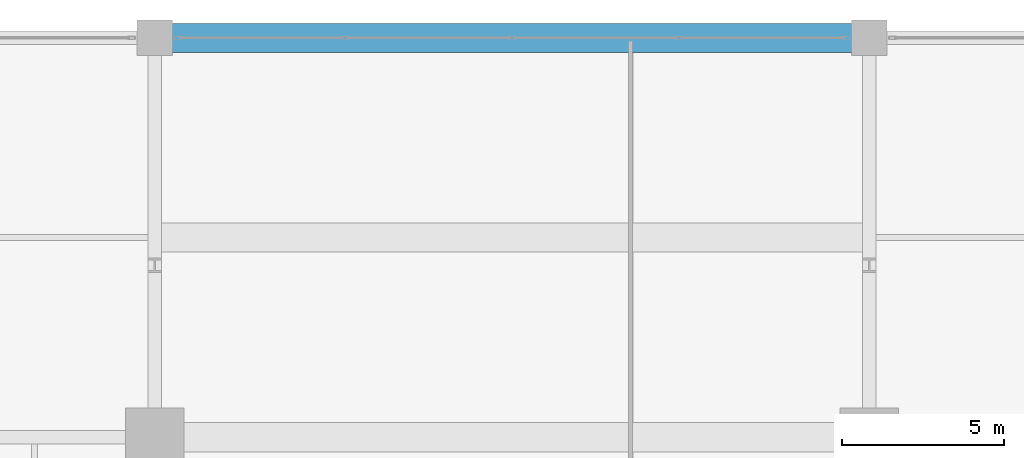
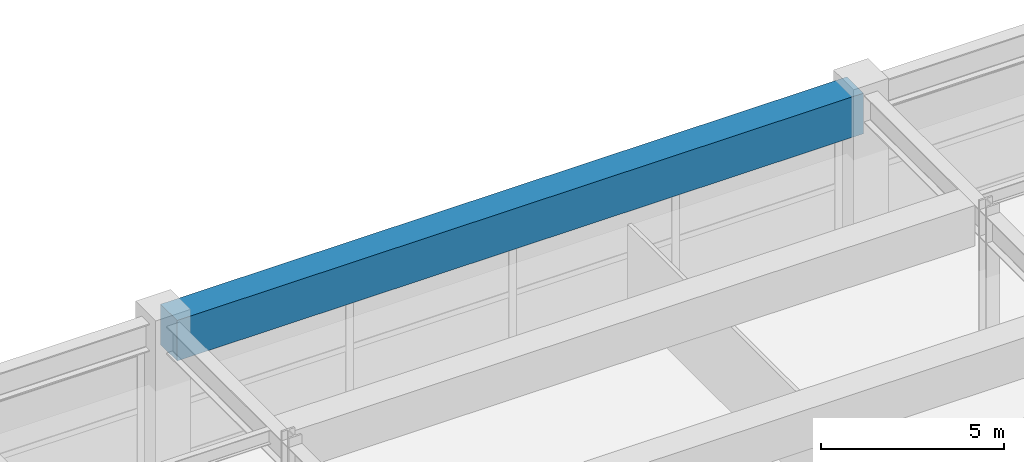
# One storey, part 20 of 45: 1 beam.
"""IFC4 building model written with IfcOpenShell, lengths in metres."""

from ifc_helpers import new_model, si_unit, direction, frame, origin, origin_2d, place, context, subcontext, project, spatial, rectangle, extrude, material, material_profile, profile_set, type_object, element, save


model = new_model("IFC4")

# Units and contexts
model_context = context("Model", 3, precision=1e-05, world=origin(), true_north=direction((0.0, 1.0)))
body_context = subcontext(model_context, "Body", "Model", "MODEL_VIEW")
ifc_project = project(units=[si_unit("LENGTHUNIT", "METRE"), si_unit("AREAUNIT", "SQUARE_METRE"), si_unit("VOLUMEUNIT", "CUBIC_METRE"), si_unit("PLANEANGLEUNIT", "RADIAN"), si_unit("MASSUNIT", "GRAM", prefix="KILO")], contexts=[model_context])

# Site, building, storey
site_placement = place(None, origin())
site = spatial("IfcSite", under=ifc_project, at=site_placement, CompositionType="ELEMENT")
building_placement = place(site_placement, origin())
building = spatial("IfcBuilding", under=site, at=building_placement, Name="Kovane Verandah Tower", CompositionType="ELEMENT")
storey_placement = place(building_placement, frame((0.0, 0.0, 6.0)))
storey = spatial("IfcBuildingStorey", under=building, at=storey_placement, Name="L01", CompositionType="ELEMENT", Elevation=6.0)

# Beam
ifc_material = material(Name="Concrete C80/95", Category="concrete")
ifc_material_profile = material_profile(ifc_material, rectangle(XDim=0.89990234375, YDim=1.35009765625, at=origin_2d()), Name="RCB900x1350")
ifc_profile_set = profile_set([ifc_material_profile], Name="Concrete C80/95")
beam_type = type_object("IfcBeamType", Name="BM-TR-900x1350", PredefinedType="BEAM", material=ifc_profile_set)
beam_placement = place(storey_placement, frame((29.179931640625, 56.5, 4.22509765625), z_axis=(1.0, 0.0, 0.0), x_axis=(0.0, 1.0, 0.0)))
element("IfcBeam", 1, at=beam_placement, inside=storey, type_object=beam_type, Name="L01 Podium Grid Girder X20", PredefinedType="BEAM", context=body_context, shape_type="SweptSolid", body=[
    extrude(rectangle(XDim=0.89990234375, YDim=1.35009765625, at=origin_2d()), origin(), (0.0, 0.0, 1.0), 21.64013671875),
])

save(model, "model.ifc")
